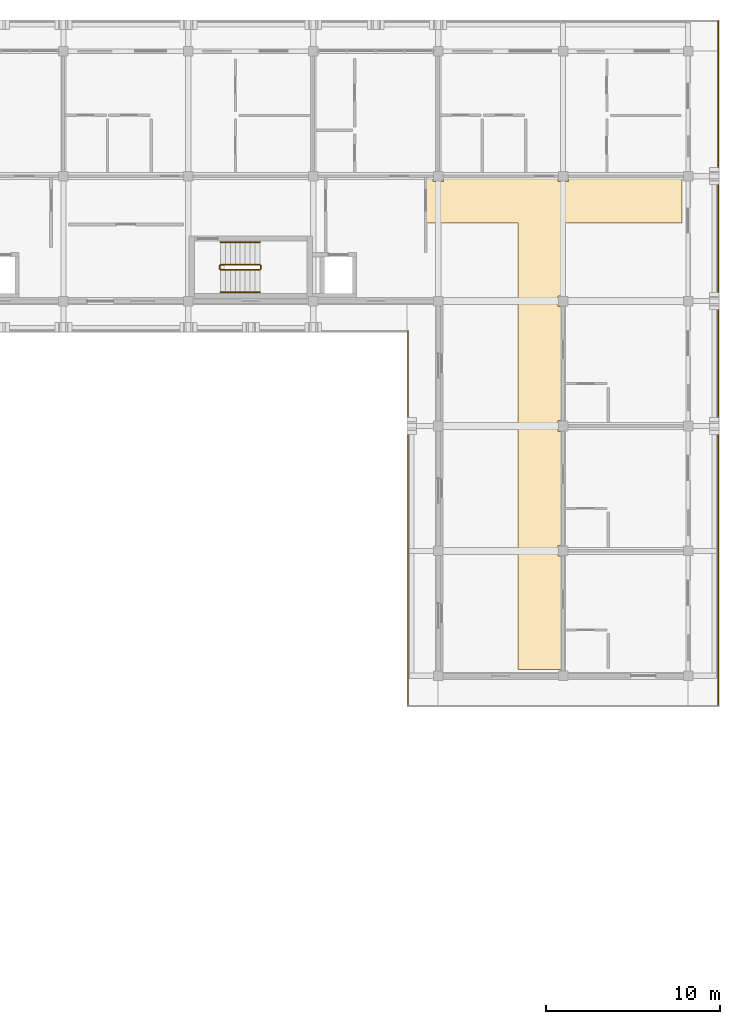
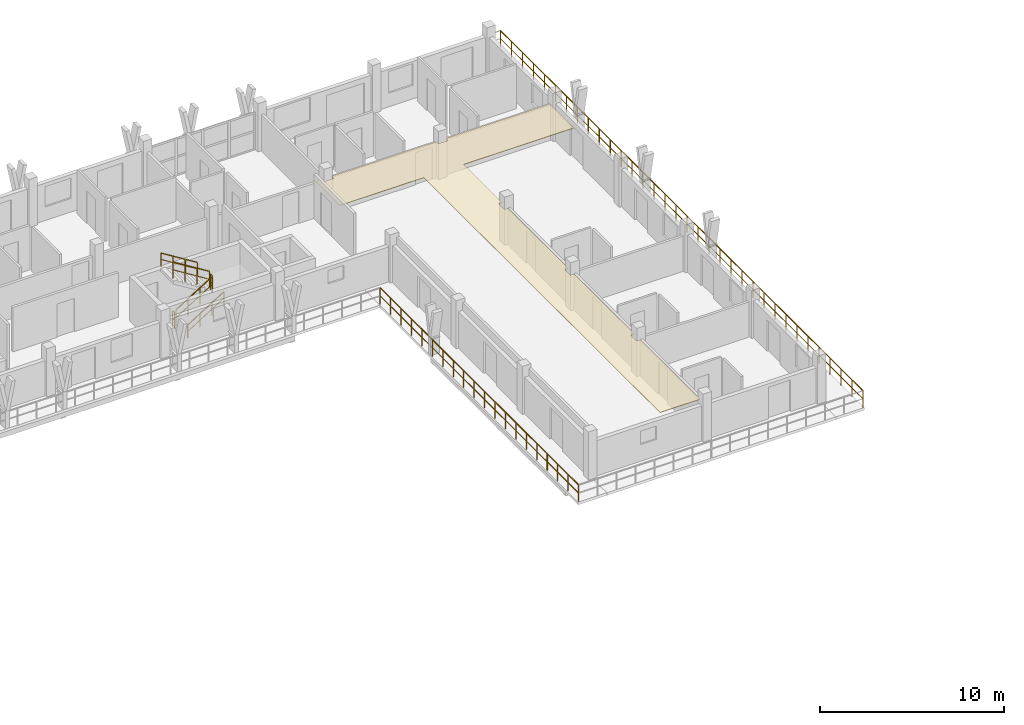
# One storey, part 64 of 65: 8 railings, 1 covering.
"""IFC4 building model written with IfcOpenShell, lengths in metres."""

from ifc_helpers import new_model, si_unit, direction, frame, origin, origin_2d, place, context, subcontext, project, spatial, polyline, rectangle, outline, extrude, material, layer, layer_set, type_object, element, save


model = new_model("IFC4")

# Units and contexts
model_context = context("Model", 3, precision=1e-05, world=origin(), true_north=direction((0.0, 1.0)))
body_context = subcontext(model_context, "Body", "Model", "MODEL_VIEW")
ifc_project = project(units=[si_unit("LENGTHUNIT", "METRE"), si_unit("AREAUNIT", "SQUARE_METRE"), si_unit("VOLUMEUNIT", "CUBIC_METRE"), si_unit("PLANEANGLEUNIT", "RADIAN"), si_unit("MASSUNIT", "GRAM", prefix="KILO")], contexts=[model_context])

# Site, building, storey
site_placement = place(None, origin())
site = spatial("IfcSite", under=ifc_project, at=site_placement, CompositionType="ELEMENT")
building_placement = place(site_placement, origin())
building = spatial("IfcBuilding", under=site, at=building_placement, Name="Suanplinth Sawtooth Commons", CompositionType="ELEMENT")
storey_placement = place(building_placement, frame((0.0, 0.0, 28.300048828125)))
storey = spatial("IfcBuildingStorey", under=building, at=storey_placement, Name="L08", CompositionType="ELEMENT", Elevation=28.300048828125)

# Covering
ifc_material_1 = material(Name="Mineral fibre acoustic tile")
ifc_layer = layer(ifc_material_1, 0.0400390625, Name="Perforated mineral-fibre acoustic suspended ceiling")
ifc_layer_set = layer_set([ifc_layer], Name="Mineral fibre acoustic tile")
covering_type = type_object("IfcCoveringType", Name="CV-CE01", PredefinedType="CEILING", material=ifc_layer_set)
covering_placement = place(storey_placement, frame((0.0, 0.0, 2.3798828125)))
element("IfcCovering", 1, at=covering_placement, inside=storey, type_object=covering_type, Name="L08 Block B Corridor Acoustic Ceiling", PredefinedType="CEILING", context=body_context, shape_type="SweptSolid", body=[
    extrude(outline(polyline([(172.4951171875, 115.1201171875), (172.4951171875, 114.89501953125), (173.10498046875, 114.89501953125), (173.10498046875, 115.1201171875), (179.695068359375, 115.1201171875), (179.695068359375, 114.89501953125), (180.304931640625, 114.89501953125), (180.304931640625, 115.1201171875), (186.840087890625, 115.1201171875), (186.840087890625, 112.5), (179.919921875, 112.5), (179.919921875, 108.304931640625), (179.695068359375, 108.304931640625), (179.695068359375, 107.695068359375), (179.919921875, 107.695068359375), (179.919921875, 101.10498046875), (179.695068359375, 101.10498046875), (179.695068359375, 100.4951171875), (179.919921875, 100.4951171875), (179.919921875, 93.905029296875), (179.695068359375, 93.905029296875), (179.695068359375, 93.294921875), (179.919921875, 93.294921875), (179.919921875, 86.760009765625), (177.39990234375, 86.760009765625), (177.39990234375, 112.5), (172.1201171875, 112.5), (172.1201171875, 115.1201171875), (172.4951171875, 115.1201171875)])), origin(), (0.0, 0.0, 1.0), 0.0400390625),
])

# Railings
ifc_material_2 = material(Name="Powder-coated galvanized steel", Category="steel")
railing_type_1 = type_object("IfcRailingType", Name="GR-01", PredefinedType="BALUSTRADE", material=ifc_material_2)
railing_1_placement = place(storey_placement, frame((171.06005859375, 84.659912109375, 0.0)))
element("IfcRailing", 2, at=railing_1_placement, inside=storey, type_object=railing_type_1, Name="L08 Block B Perimeter Balustrade 1", PredefinedType="BALUSTRADE", context=body_context, shape_type="SweptSolid", body=[
    extrude(rectangle(XDim=0.048095703125, YDim=0.048095703125, at=origin_2d()), frame((0.0, 0.0, 1.09619140625), z_axis=(0.0, 1.0, 0.0), x_axis=(-1.0, 0.0, 0.0)), (0.0, 0.0, 1.0), 21.60009765625),
    extrude(rectangle(XDim=0.03369140625, YDim=0.03369140625, at=origin_2d()), frame((0.0, 0.0, 0.56005859375), z_axis=(0.0, 1.0, 0.0), x_axis=(-1.0, 0.0, 0.0)), (0.0, 0.0, 1.0), 21.60009765625),
    extrude(rectangle(XDim=0.0419921875, YDim=0.0419921875, at=origin_2d()), origin(), (0.0, 0.0, 1.0), 1.072021484375),
    extrude(rectangle(XDim=0.0419921875, YDim=0.0419921875, at=origin_2d()), frame((0.0, 1.136962890625, 0.0)), (0.0, 0.0, 1.0), 1.072021484375),
    extrude(rectangle(XDim=0.0419921875, YDim=0.0419921875, at=origin_2d()), frame((0.0, 2.273681640625, 0.0)), (0.0, 0.0, 1.0), 1.072021484375),
    extrude(rectangle(XDim=0.0419921875, YDim=0.0419921875, at=origin_2d()), frame((0.0, 3.41064453125, 0.0)), (0.0, 0.0, 1.0), 1.072021484375),
    extrude(rectangle(XDim=0.0419921875, YDim=0.0419921875, at=origin_2d()), frame((0.0, 4.54736328125, 0.0)), (0.0, 0.0, 1.0), 1.072021484375),
    extrude(rectangle(XDim=0.0419921875, YDim=0.0419921875, at=origin_2d()), frame((0.0, 5.684326171875, 0.0)), (0.0, 0.0, 1.0), 1.072021484375),
    extrude(rectangle(XDim=0.0419921875, YDim=0.0419921875, at=origin_2d()), frame((0.0, 6.821044921875, 0.0)), (0.0, 0.0, 1.0), 1.072021484375),
    extrude(rectangle(XDim=0.0419921875, YDim=0.0419921875, at=origin_2d()), frame((0.0, 7.9580078125, 0.0)), (0.0, 0.0, 1.0), 1.072021484375),
    extrude(rectangle(XDim=0.0419921875, YDim=0.0419921875, at=origin_2d()), frame((0.0, 9.0947265625, 0.0)), (0.0, 0.0, 1.0), 1.072021484375),
    extrude(rectangle(XDim=0.0419921875, YDim=0.0419921875, at=origin_2d()), frame((0.0, 10.231689453125, 0.0)), (0.0, 0.0, 1.0), 1.072021484375),
    extrude(rectangle(XDim=0.0419921875, YDim=0.0419921875, at=origin_2d()), frame((0.0, 11.368408203125, 0.0)), (0.0, 0.0, 1.0), 1.072021484375),
    extrude(rectangle(XDim=0.0419921875, YDim=0.0419921875, at=origin_2d()), frame((0.0, 12.50537109375, 0.0)), (0.0, 0.0, 1.0), 1.072021484375),
    extrude(rectangle(XDim=0.0419921875, YDim=0.0419921875, at=origin_2d()), frame((0.0, 13.64208984375, 0.0)), (0.0, 0.0, 1.0), 1.072021484375),
    extrude(rectangle(XDim=0.0419921875, YDim=0.0419921875, at=origin_2d()), frame((0.0, 14.779052734375, 0.0)), (0.0, 0.0, 1.0), 1.072021484375),
    extrude(rectangle(XDim=0.0419921875, YDim=0.0419921875, at=origin_2d()), frame((0.0, 15.915771484375, 0.0)), (0.0, 0.0, 1.0), 1.072021484375),
    extrude(rectangle(XDim=0.0419921875, YDim=0.0419921875, at=origin_2d()), frame((0.0, 17.052734375, 0.0)), (0.0, 0.0, 1.0), 1.072021484375),
    extrude(rectangle(XDim=0.0419921875, YDim=0.0419921875, at=origin_2d()), frame((0.0, 18.189453125, 0.0)), (0.0, 0.0, 1.0), 1.072021484375),
    extrude(rectangle(XDim=0.0419921875, YDim=0.0419921875, at=origin_2d()), frame((0.0, 19.326416015625, 0.0)), (0.0, 0.0, 1.0), 1.072021484375),
    extrude(rectangle(XDim=0.0419921875, YDim=0.0419921875, at=origin_2d()), frame((0.0, 20.463134765625, 0.0)), (0.0, 0.0, 1.0), 1.072021484375),
    extrude(rectangle(XDim=0.0419921875, YDim=0.0419921875, at=origin_2d()), frame((0.0, 21.60009765625, 0.0)), (0.0, 0.0, 1.0), 1.072021484375),
])
railing_2_placement = place(storey_placement, frame((188.93994140625, 124.139892578125, 0.0)))
element("IfcRailing", 3, at=railing_2_placement, inside=storey, type_object=railing_type_1, Name="L08 Block B Perimeter Balustrade 5", PredefinedType="BALUSTRADE", context=body_context, shape_type="SweptSolid", body=[
    extrude(rectangle(XDim=0.048095703125, YDim=0.048095703125, at=origin_2d()), frame((0.0, 0.0, 1.09619140625), z_axis=(0.0, -1.0, 0.0), x_axis=(1.0, 0.0, 0.0)), (0.0, 0.0, 1.0), 39.47998046875),
    extrude(rectangle(XDim=0.03369140625, YDim=0.03369140625, at=origin_2d()), frame((0.0, 0.0, 0.56005859375), z_axis=(0.0, -1.0, 0.0), x_axis=(1.0, 0.0, 0.0)), (0.0, 0.0, 1.0), 39.47998046875),
    extrude(rectangle(XDim=0.0419921875, YDim=0.0419921875, at=origin_2d()), origin(), (0.0, 0.0, 1.0), 1.072021484375),
    extrude(rectangle(XDim=0.0419921875, YDim=0.0419921875, at=origin_2d()), frame((0.0, -1.1962890625, 0.0)), (0.0, 0.0, 1.0), 1.072021484375),
    extrude(rectangle(XDim=0.0419921875, YDim=0.0419921875, at=origin_2d()), frame((0.0, -2.392822265625, 0.0)), (0.0, 0.0, 1.0), 1.072021484375),
    extrude(rectangle(XDim=0.0419921875, YDim=0.0419921875, at=origin_2d()), frame((0.0, -3.589111328125, 0.0)), (0.0, 0.0, 1.0), 1.072021484375),
    extrude(rectangle(XDim=0.0419921875, YDim=0.0419921875, at=origin_2d()), frame((0.0, -4.785400390625, 0.0)), (0.0, 0.0, 1.0), 1.072021484375),
    extrude(rectangle(XDim=0.0419921875, YDim=0.0419921875, at=origin_2d()), frame((0.0, -5.98193359375, 0.0)), (0.0, 0.0, 1.0), 1.072021484375),
    extrude(rectangle(XDim=0.0419921875, YDim=0.0419921875, at=origin_2d()), frame((0.0, -7.17822265625, 0.0)), (0.0, 0.0, 1.0), 1.072021484375),
    extrude(rectangle(XDim=0.0419921875, YDim=0.0419921875, at=origin_2d()), frame((0.0, -8.37451171875, 0.0)), (0.0, 0.0, 1.0), 1.072021484375),
    extrude(rectangle(XDim=0.0419921875, YDim=0.0419921875, at=origin_2d()), frame((0.0, -9.57080078125, 0.0)), (0.0, 0.0, 1.0), 1.072021484375),
    extrude(rectangle(XDim=0.0419921875, YDim=0.0419921875, at=origin_2d()), frame((0.0, -10.767333984375, 0.0)), (0.0, 0.0, 1.0), 1.072021484375),
    extrude(rectangle(XDim=0.0419921875, YDim=0.0419921875, at=origin_2d()), frame((0.0, -11.963623046875, 0.0)), (0.0, 0.0, 1.0), 1.072021484375),
    extrude(rectangle(XDim=0.0419921875, YDim=0.0419921875, at=origin_2d()), frame((0.0, -13.159912109375, 0.0)), (0.0, 0.0, 1.0), 1.072021484375),
    extrude(rectangle(XDim=0.0419921875, YDim=0.0419921875, at=origin_2d()), frame((0.0, -14.3564453125, 0.0)), (0.0, 0.0, 1.0), 1.072021484375),
    extrude(rectangle(XDim=0.0419921875, YDim=0.0419921875, at=origin_2d()), frame((0.0, -15.552734375, 0.0)), (0.0, 0.0, 1.0), 1.072021484375),
    extrude(rectangle(XDim=0.0419921875, YDim=0.0419921875, at=origin_2d()), frame((0.0, -16.7490234375, 0.0)), (0.0, 0.0, 1.0), 1.072021484375),
    extrude(rectangle(XDim=0.0419921875, YDim=0.0419921875, at=origin_2d()), frame((0.0, -17.945556640625, 0.0)), (0.0, 0.0, 1.0), 1.072021484375),
    extrude(rectangle(XDim=0.0419921875, YDim=0.0419921875, at=origin_2d()), frame((0.0, -19.141845703125, 0.0)), (0.0, 0.0, 1.0), 1.072021484375),
    extrude(rectangle(XDim=0.0419921875, YDim=0.0419921875, at=origin_2d()), frame((0.0, -20.338134765625, 0.0)), (0.0, 0.0, 1.0), 1.072021484375),
    extrude(rectangle(XDim=0.0419921875, YDim=0.0419921875, at=origin_2d()), frame((0.0, -21.534423828125, 0.0)), (0.0, 0.0, 1.0), 1.072021484375),
    extrude(rectangle(XDim=0.0419921875, YDim=0.0419921875, at=origin_2d()), frame((0.0, -22.73095703125, 0.0)), (0.0, 0.0, 1.0), 1.072021484375),
    extrude(rectangle(XDim=0.0419921875, YDim=0.0419921875, at=origin_2d()), frame((0.0, -23.92724609375, 0.0)), (0.0, 0.0, 1.0), 1.072021484375),
    extrude(rectangle(XDim=0.0419921875, YDim=0.0419921875, at=origin_2d()), frame((0.0, -25.12353515625, 0.0)), (0.0, 0.0, 1.0), 1.072021484375),
    extrude(rectangle(XDim=0.0419921875, YDim=0.0419921875, at=origin_2d()), frame((0.0, -26.320068359375, 0.0)), (0.0, 0.0, 1.0), 1.072021484375),
    extrude(rectangle(XDim=0.0419921875, YDim=0.0419921875, at=origin_2d()), frame((0.0, -27.516357421875, 0.0)), (0.0, 0.0, 1.0), 1.072021484375),
    extrude(rectangle(XDim=0.0419921875, YDim=0.0419921875, at=origin_2d()), frame((0.0, -28.712646484375, 0.0)), (0.0, 0.0, 1.0), 1.072021484375),
    extrude(rectangle(XDim=0.0419921875, YDim=0.0419921875, at=origin_2d()), frame((0.0, -29.9091796875, 0.0)), (0.0, 0.0, 1.0), 1.072021484375),
    extrude(rectangle(XDim=0.0419921875, YDim=0.0419921875, at=origin_2d()), frame((0.0, -31.10546875, 0.0)), (0.0, 0.0, 1.0), 1.072021484375),
    extrude(rectangle(XDim=0.0419921875, YDim=0.0419921875, at=origin_2d()), frame((0.0, -32.3017578125, 0.0)), (0.0, 0.0, 1.0), 1.072021484375),
    extrude(rectangle(XDim=0.0419921875, YDim=0.0419921875, at=origin_2d()), frame((0.0, -33.498046875, 0.0)), (0.0, 0.0, 1.0), 1.072021484375),
    extrude(rectangle(XDim=0.0419921875, YDim=0.0419921875, at=origin_2d()), frame((0.0, -34.694580078125, 0.0)), (0.0, 0.0, 1.0), 1.072021484375),
    extrude(rectangle(XDim=0.0419921875, YDim=0.0419921875, at=origin_2d()), frame((0.0, -35.890869140625, 0.0)), (0.0, 0.0, 1.0), 1.072021484375),
    extrude(rectangle(XDim=0.0419921875, YDim=0.0419921875, at=origin_2d()), frame((0.0, -37.087158203125, 0.0)), (0.0, 0.0, 1.0), 1.072021484375),
    extrude(rectangle(XDim=0.0419921875, YDim=0.0419921875, at=origin_2d()), frame((0.0, -38.28369140625, 0.0)), (0.0, 0.0, 1.0), 1.072021484375),
    extrude(rectangle(XDim=0.0419921875, YDim=0.0419921875, at=origin_2d()), frame((0.0, -39.47998046875, 0.0)), (0.0, 0.0, 1.0), 1.072021484375),
])
ifc_material_3 = material(Name="Stainless steel Grade 304", Category="steel")
railing_type_2 = type_object("IfcRailingType", Name="GR-04", PredefinedType="GUARDRAIL", material=ifc_material_3)
railing_3_placement = place(storey_placement, frame((160.25, 109.800048828125, 0.177734375)))
element("IfcRailing", 4, at=railing_3_placement, inside=storey, type_object=railing_type_2, Name="L08 ST-E2 Guard 1", PredefinedType="GUARDRAIL", context=body_context, shape_type="SweptSolid", body=[
    extrude(rectangle(XDim=0.048095703125, YDim=0.048095703125, at=origin_2d()), frame((0.0, 0.0, 1.076171875), z_axis=(0.848482842525, 0.0, 0.529222888715), x_axis=(0.0, 1.0, 0.0)), (0.0, 0.0, 1.0), 2.687255859375),
    extrude(rectangle(XDim=0.03369140625, YDim=0.03369140625, at=origin_2d()), frame((0.0, 0.0, 0.550048828125), z_axis=(0.848482842525, 0.0, 0.529222888715), x_axis=(0.0, 1.0, 0.0)), (0.0, 0.0, 1.0), 2.687255859375),
    extrude(rectangle(XDim=0.0419921875, YDim=0.0419921875, at=origin_2d()), origin(), (0.0, 0.0, 1.0), 1.052001953125),
    extrude(rectangle(XDim=0.0419921875, YDim=0.0419921875, at=origin_2d()), frame((0.760009765625, 0.0, 0.47412109375)), (0.0, 0.0, 1.0), 1.052001953125),
    extrude(rectangle(XDim=0.0419921875, YDim=0.0419921875, at=origin_2d()), frame((1.52001953125, 0.0, 0.947998046875)), (0.0, 0.0, 1.0), 1.052001953125),
    extrude(rectangle(XDim=0.0419921875, YDim=0.0419921875, at=origin_2d()), frame((2.280029296875, 0.0, 1.422119140625)), (0.0, 0.0, 1.0), 1.052001953125),
])
railing_4_placement = place(storey_placement, frame((162.580078125, 109.85009765625, 1.599853515625)))
element("IfcRailing", 5, at=railing_4_placement, inside=storey, type_object=railing_type_2, Name="L08 ST-E2 Guard 2", PredefinedType="GUARDRAIL", context=body_context, shape_type="SweptSolid", body=[
    extrude(rectangle(XDim=0.048095703125, YDim=0.048095703125, at=origin_2d()), frame((0.0, 0.0, 1.076171875), z_axis=(0.0, 1.0, 0.0), x_axis=(-1.0, 0.0, 0.0)), (0.0, 0.0, 1.0), 0.199951171875),
    extrude(rectangle(XDim=0.03369140625, YDim=0.03369140625, at=origin_2d()), frame((0.0, 0.0, 0.550048828125), z_axis=(0.0, 1.0, 0.0), x_axis=(-1.0, 0.0, 0.0)), (0.0, 0.0, 1.0), 0.199951171875),
    extrude(rectangle(XDim=0.0419921875, YDim=0.0419921875, at=origin_2d()), origin(), (0.0, 0.0, 1.0), 1.052001953125),
    extrude(rectangle(XDim=0.0419921875, YDim=0.0419921875, at=origin_2d()), frame((0.0, 0.199951171875, 0.0)), (0.0, 0.0, 1.0), 1.052001953125),
])
railing_5_placement = place(storey_placement, frame((162.530029296875, 110.10009765625, 1.77783203125)))
element("IfcRailing", 6, at=railing_5_placement, inside=storey, type_object=railing_type_2, Name="L08 ST-E2 Guard 3", PredefinedType="GUARDRAIL", context=body_context, shape_type="SweptSolid", body=[
    extrude(rectangle(XDim=0.048095703125, YDim=0.048095703125, at=origin_2d()), frame((0.0, 0.0, 1.076171875), z_axis=(-0.848482842525, 0.0, 0.529222888715), x_axis=(0.0, -1.0, 0.0)), (0.0, 0.0, 1.0), 2.687255859375),
    extrude(rectangle(XDim=0.03369140625, YDim=0.03369140625, at=origin_2d()), frame((0.0, 0.0, 0.550048828125), z_axis=(-0.848482842525, 0.0, 0.529222888715), x_axis=(0.0, -1.0, 0.0)), (0.0, 0.0, 1.0), 2.687255859375),
    extrude(rectangle(XDim=0.0419921875, YDim=0.0419921875, at=origin_2d()), origin(), (0.0, 0.0, 1.0), 1.052001953125),
    extrude(rectangle(XDim=0.0419921875, YDim=0.0419921875, at=origin_2d()), frame((-0.760009765625, 0.0, 0.47412109375)), (0.0, 0.0, 1.0), 1.052001953125),
    extrude(rectangle(XDim=0.0419921875, YDim=0.0419921875, at=origin_2d()), frame((-1.52001953125, 0.0, 0.947998046875)), (0.0, 0.0, 1.0), 1.052001953125),
    extrude(rectangle(XDim=0.0419921875, YDim=0.0419921875, at=origin_2d()), frame((-2.280029296875, 0.0, 1.422119140625)), (0.0, 0.0, 1.0), 1.052001953125),
])
railing_6_placement = place(storey_placement, frame((160.199951171875, 109.85009765625, 0.0)))
element("IfcRailing", 7, at=railing_6_placement, inside=storey, type_object=railing_type_2, Name="L08 ST-E2 Guard 4", PredefinedType="GUARDRAIL", context=body_context, shape_type="SweptSolid", body=[
    extrude(rectangle(XDim=0.048095703125, YDim=0.048095703125, at=origin_2d()), frame((0.0, 0.0, 1.076171875), z_axis=(0.0, 1.0, 0.0), x_axis=(-1.0, 0.0, 0.0)), (0.0, 0.0, 1.0), 0.199951171875),
    extrude(rectangle(XDim=0.03369140625, YDim=0.03369140625, at=origin_2d()), frame((0.0, 0.0, 0.550048828125), z_axis=(0.0, 1.0, 0.0), x_axis=(-1.0, 0.0, 0.0)), (0.0, 0.0, 1.0), 0.199951171875),
    extrude(rectangle(XDim=0.0419921875, YDim=0.0419921875, at=origin_2d()), origin(), (0.0, 0.0, 1.0), 1.052001953125),
    extrude(rectangle(XDim=0.0419921875, YDim=0.0419921875, at=origin_2d()), frame((0.0, 0.199951171875, 0.0)), (0.0, 0.0, 1.0), 1.052001953125),
])
railing_type_3 = type_object("IfcRailingType", Name="HR-01", PredefinedType="HANDRAIL", material=ifc_material_3)
railing_7_placement = place(storey_placement, frame((160.25, 108.5, 0.177734375)))
element("IfcRailing", 8, at=railing_7_placement, inside=storey, type_object=railing_type_3, Name="L08 ST-E2 Handrail 1", PredefinedType="HANDRAIL", context=body_context, shape_type="SweptSolid", body=[
    extrude(rectangle(XDim=0.048095703125, YDim=0.048095703125, at=origin_2d()), frame((0.0, 0.0, 0.8759765625), z_axis=(0.848482842525, 0.0, 0.529222888715), x_axis=(0.0, 1.0, 0.0)), (0.0, 0.0, 1.0), 2.687255859375),
    extrude(rectangle(XDim=0.03369140625, YDim=0.03369140625, at=origin_2d()), frame((0.0, 0.0, 0.449951171875), z_axis=(0.848482842525, 0.0, 0.529222888715), x_axis=(0.0, 1.0, 0.0)), (0.0, 0.0, 1.0), 2.687255859375),
    extrude(rectangle(XDim=0.0419921875, YDim=0.0419921875, at=origin_2d()), origin(), (0.0, 0.0, 1.0), 0.851806640625),
    extrude(rectangle(XDim=0.0419921875, YDim=0.0419921875, at=origin_2d()), frame((0.760009765625, 0.0, 0.47412109375)), (0.0, 0.0, 1.0), 0.851806640625),
    extrude(rectangle(XDim=0.0419921875, YDim=0.0419921875, at=origin_2d()), frame((1.52001953125, 0.0, 0.947998046875)), (0.0, 0.0, 1.0), 0.851806640625),
    extrude(rectangle(XDim=0.0419921875, YDim=0.0419921875, at=origin_2d()), frame((2.280029296875, 0.0, 1.422119140625)), (0.0, 0.0, 1.0), 0.851806640625),
])
railing_8_placement = place(storey_placement, frame((162.530029296875, 111.39990234375, 1.77783203125)))
element("IfcRailing", 9, at=railing_8_placement, inside=storey, type_object=railing_type_3, Name="L08 ST-E2 Handrail 2", PredefinedType="HANDRAIL", context=body_context, shape_type="SweptSolid", body=[
    extrude(rectangle(XDim=0.048095703125, YDim=0.048095703125, at=origin_2d()), frame((0.0, 0.0, 0.8759765625), z_axis=(-0.848482842525, 0.0, 0.529222888715), x_axis=(0.0, -1.0, 0.0)), (0.0, 0.0, 1.0), 2.687255859375),
    extrude(rectangle(XDim=0.03369140625, YDim=0.03369140625, at=origin_2d()), frame((0.0, 0.0, 0.449951171875), z_axis=(-0.848482842525, 0.0, 0.529222888715), x_axis=(0.0, -1.0, 0.0)), (0.0, 0.0, 1.0), 2.687255859375),
    extrude(rectangle(XDim=0.0419921875, YDim=0.0419921875, at=origin_2d()), origin(), (0.0, 0.0, 1.0), 0.851806640625),
    extrude(rectangle(XDim=0.0419921875, YDim=0.0419921875, at=origin_2d()), frame((-0.760009765625, 0.0, 0.47412109375)), (0.0, 0.0, 1.0), 0.851806640625),
    extrude(rectangle(XDim=0.0419921875, YDim=0.0419921875, at=origin_2d()), frame((-1.52001953125, 0.0, 0.947998046875)), (0.0, 0.0, 1.0), 0.851806640625),
    extrude(rectangle(XDim=0.0419921875, YDim=0.0419921875, at=origin_2d()), frame((-2.280029296875, 0.0, 1.422119140625)), (0.0, 0.0, 1.0), 0.851806640625),
])

save(model, "model.ifc")
